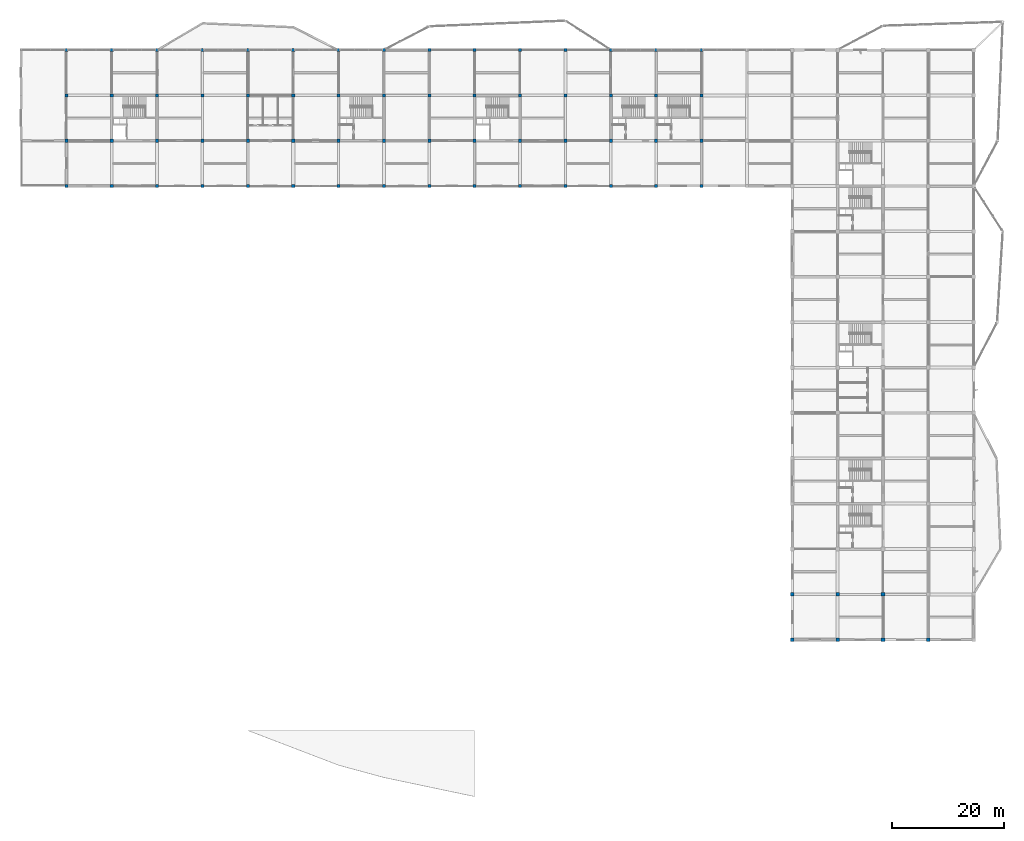
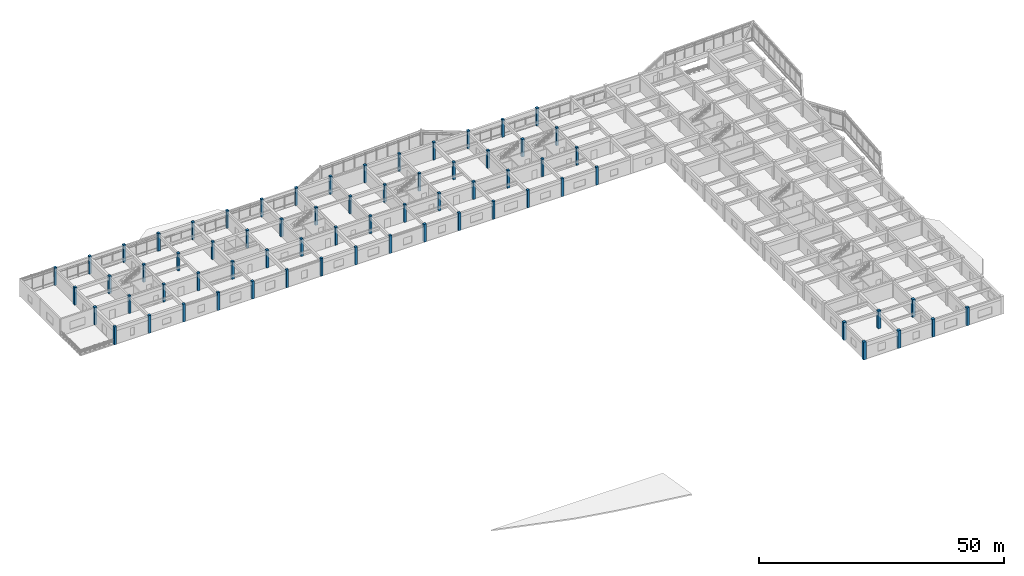
# One storey, part 1 of 42: 67 columns.
"""IFC4 building model written with IfcOpenShell, lengths in metres."""

from ifc_helpers import new_model, si_unit, direction, frame, origin, origin_2d, place, context, subcontext, project, spatial, rectangle, extrude, material, material_profile, profile_set, type_object, element, save


model = new_model("IFC4")

# Units and contexts
model_context = context("Model", 3, precision=1e-05, world=origin(), true_north=direction((0.0, 1.0)))
body_context = subcontext(model_context, "Body", "Model", "MODEL_VIEW")
ifc_project = project(units=[si_unit("LENGTHUNIT", "METRE"), si_unit("AREAUNIT", "SQUARE_METRE"), si_unit("VOLUMEUNIT", "CUBIC_METRE"), si_unit("PLANEANGLEUNIT", "RADIAN"), si_unit("MASSUNIT", "GRAM", prefix="KILO")], contexts=[model_context])

# Site, building, storey
site_placement = place(None, origin())
site = spatial("IfcSite", under=ifc_project, at=site_placement, CompositionType="ELEMENT")
building_placement = place(site_placement, origin())
building = spatial("IfcBuilding", under=site, at=building_placement, Name="Vaudrelin Polytechnic", CompositionType="ELEMENT")
storey_placement = place(building_placement, frame((0.0, 0.0, 18.530029296875)))
storey = spatial("IfcBuildingStorey", under=building, at=storey_placement, Name="L04", CompositionType="ELEMENT", Elevation=18.530029296875)

# Columns
ifc_material = material(Name="Concrete 40 MPa", Category="concrete")
ifc_material_profile_1 = material_profile(ifc_material, rectangle(XDim=0.550048828125, YDim=0.550048828125, at=origin_2d()), Name="RC550x550")
ifc_profile_set_1 = profile_set([ifc_material_profile_1], Name="Concrete 40 MPa")
column_type_1 = type_object("IfcColumnType", Name="COL-C-RC550", PredefinedType="COLUMN", material=ifc_profile_set_1)
for number, where, z_axis, x_axis, name in (
    (1, (8.10009765625, 97.199951171875, 0.0), (0.0, 0.0, 1.0), (1.0, 0.0, 0.0), "Column L04 2-13"),
    (2, (8.10009765625, 105.300048828125, 0.0), (0.0, 0.0, 1.0), (1.0, 0.0, 0.0), "Column L04 2-14"),
    (3, (8.10009765625, 113.39990234375, 0.0), (0.0, 0.0, 1.0), (1.0, 0.0, 0.0), "Column L04 2-15"),
    (4, (8.10009765625, 121.5, 0.0), (0.0, 0.0, 1.0), (1.0, 0.0, 0.0), "Column L04 2-16"),
    (5, (16.199951171875, 97.199951171875, 0.0), (0.0, 0.0, 1.0), (1.0, 0.0, 0.0), "Column L04 3-13"),
    (6, (16.199951171875, 105.300048828125, 0.0), (0.0, 0.0, 1.0), (1.0, 0.0, 0.0), "Column L04 3-14"),
    (7, (16.199951171875, 113.39990234375, 0.0), (0.0, 0.0, 1.0), (1.0, 0.0, 0.0), "Column L04 3-15"),
    (8, (16.199951171875, 121.5, 0.0), (0.0, 0.0, 1.0), (1.0, 0.0, 0.0), "Column L04 3-16"),
    (9, (24.300048828125, 97.199951171875, 0.0), (0.0, 0.0, 1.0), (1.0, 0.0, 0.0), "Column L04 4-13"),
    (10, (24.300048828125, 105.300048828125, 0.0), (0.0, 0.0, 1.0), (1.0, 0.0, 0.0), "Column L04 4-14"),
    (11, (24.300048828125, 113.39990234375, 0.0), (0.0, 0.0, 1.0), (1.0, 0.0, 0.0), "Column L04 4-15"),
    (12, (24.300048828125, 121.5, 0.0), (0.0, 0.0, 1.0), (1.0, 0.0, 0.0), "Column L04 4-16"),
    (13, (32.39990234375, 97.199951171875, 0.0), (0.0, 0.0, 1.0), (1.0, 0.0, 0.0), "Column L04 5-13"),
    (14, (32.39990234375, 105.300048828125, 0.0), (0.0, 0.0, 1.0), (1.0, 0.0, 0.0), "Column L04 5-14"),
    (15, (32.39990234375, 113.39990234375, 0.0), (0.0, 0.0, 1.0), (1.0, 0.0, 0.0), "Column L04 5-15"),
    (16, (32.39990234375, 121.5, 0.0), (0.0, 0.0, 1.0), (1.0, 0.0, 0.0), "Column L04 5-16"),
    (17, (40.5, 97.199951171875, 0.0), (0.0, 0.0, 1.0), (1.0, 0.0, 0.0), "Column L04 6-13"),
    (18, (40.5, 105.300048828125, 0.0), (0.0, 0.0, 1.0), (1.0, 0.0, 0.0), "Column L04 6-14"),
    (19, (40.5, 113.39990234375, 0.0), (0.0, 0.0, 1.0), (1.0, 0.0, 0.0), "Column L04 6-15"),
    (20, (40.5, 121.5, 0.0), (0.0, 0.0, 1.0), (1.0, 0.0, 0.0), "Column L04 6-16"),
    (21, (48.60009765625, 97.199951171875, 0.0), (0.0, 0.0, 1.0), (1.0, 0.0, 0.0), "Column L04 7-13"),
    (22, (48.60009765625, 105.300048828125, 0.0), (0.0, 0.0, 1.0), (1.0, 0.0, 0.0), "Column L04 7-14"),
    (23, (48.60009765625, 113.39990234375, 0.0), (0.0, 0.0, 1.0), (1.0, 0.0, 0.0), "Column L04 7-15"),
    (24, (48.60009765625, 121.5, 0.0), (0.0, 0.0, 1.0), (1.0, 0.0, 0.0), "Column L04 7-16"),
    (25, (56.699951171875, 97.199951171875, 0.0), (0.0, 0.0, 1.0), (1.0, 0.0, 0.0), "Column L04 8-13"),
    (26, (56.699951171875, 105.300048828125, 0.0), (0.0, 0.0, 1.0), (1.0, 0.0, 0.0), "Column L04 8-14"),
    (27, (56.699951171875, 113.39990234375, 0.0), (0.0, 0.0, 1.0), (1.0, 0.0, 0.0), "Column L04 8-15"),
    (28, (56.699951171875, 121.5, 0.0), (0.0, 0.0, 1.0), (1.0, 0.0, 0.0), "Column L04 8-16"),
    (29, (64.800048828125, 97.199951171875, 0.0), (0.0, 0.0, 1.0), (1.0, 0.0, 0.0), "Column L04 9-13"),
    (30, (64.800048828125, 105.300048828125, 0.0), (0.0, 0.0, 1.0), (1.0, 0.0, 0.0), "Column L04 9-14"),
    (31, (64.800048828125, 113.39990234375, 0.0), (0.0, 0.0, 1.0), (1.0, 0.0, 0.0), "Column L04 9-15"),
    (32, (64.800048828125, 121.5, 0.0), (0.0, 0.0, 1.0), (1.0, 0.0, 0.0), "Column L04 9-16"),
    (33, (72.89990234375, 97.199951171875, 0.0), (0.0, 0.0, 1.0), (1.0, 0.0, 0.0), "Column L04 10-13"),
    (34, (72.89990234375, 105.300048828125, 0.0), (0.0, 0.0, 1.0), (1.0, 0.0, 0.0), "Column L04 10-14"),
    (35, (72.89990234375, 113.39990234375, 0.0), (0.0, 0.0, 1.0), (1.0, 0.0, 0.0), "Column L04 10-15"),
    (36, (72.89990234375, 121.5, 0.0), (0.0, 0.0, 1.0), (1.0, 0.0, 0.0), "Column L04 10-16"),
    (37, (81.0, 97.199951171875, 0.0), (0.0, 0.0, 1.0), (1.0, 0.0, 0.0), "Column L04 11-13"),
    (38, (81.0, 105.300048828125, 0.0), (0.0, 0.0, 1.0), (1.0, 0.0, 0.0), "Column L04 11-14"),
    (39, (81.0, 113.39990234375, 0.0), (0.0, 0.0, 1.0), (1.0, 0.0, 0.0), "Column L04 11-15"),
    (40, (81.0, 121.5, 0.0), (0.0, 0.0, 1.0), (1.0, 0.0, 0.0), "Column L04 11-16"),
    (41, (89.10009765625, 97.199951171875, 0.0), (0.0, 0.0, 1.0), (1.0, 0.0, 0.0), "Column L04 12-13"),
    (42, (89.10009765625, 105.300048828125, 0.0), (0.0, 0.0, 1.0), (1.0, 0.0, 0.0), "Column L04 12-14"),
    (43, (89.10009765625, 113.39990234375, 0.0), (0.0, 0.0, 1.0), (1.0, 0.0, 0.0), "Column L04 12-15"),
    (44, (89.10009765625, 121.5, 0.0), (0.0, 0.0, 1.0), (1.0, 0.0, 0.0), "Column L04 12-16"),
    (45, (97.199951171875, 97.199951171875, 0.0), (0.0, 0.0, 1.0), (1.0, 0.0, 0.0), "Column L04 13-13"),
    (46, (97.199951171875, 105.300048828125, 0.0), (0.0, 0.0, 1.0), (1.0, 0.0, 0.0), "Column L04 13-14"),
    (47, (97.199951171875, 113.39990234375, 0.0), (0.0, 0.0, 1.0), (1.0, 0.0, 0.0), "Column L04 13-15"),
    (48, (97.199951171875, 121.5, 0.0), (0.0, 0.0, 1.0), (1.0, 0.0, 0.0), "Column L04 13-16"),
    (49, (105.300048828125, 97.199951171875, 0.0), (0.0, 0.0, 1.0), (1.0, 0.0, 0.0), "Column L04 14-13"),
    (50, (105.300048828125, 105.300048828125, 0.0), (0.0, 0.0, 1.0), (1.0, 0.0, 0.0), "Column L04 14-14"),
    (51, (105.300048828125, 113.39990234375, 0.0), (0.0, 0.0, 1.0), (1.0, 0.0, 0.0), "Column L04 14-15"),
    (52, (105.300048828125, 121.5, 0.0), (0.0, 0.0, 1.0), (1.0, 0.0, 0.0), "Column L04 14-16"),
    (53, (113.39990234375, 97.199951171875, 0.0), (0.0, 0.0, 1.0), (1.0, 0.0, 0.0), "Column L04 15-13"),
    (54, (113.39990234375, 105.300048828125, 0.0), (0.0, 0.0, 1.0), (1.0, 0.0, 0.0), "Column L04 15-14"),
    (55, (113.39990234375, 113.39990234375, 0.0), (0.0, 0.0, 1.0), (1.0, 0.0, 0.0), "Column L04 15-15"),
    (56, (113.39990234375, 121.5, 0.0), (0.0, 0.0, 1.0), (1.0, 0.0, 0.0), "Column L04 15-16"),
    (57, (121.5, 97.199951171875, 0.0), (0.0, 0.0, 1.0), (1.0, 0.0, 0.0), "Column L04 16-13"),
    (58, (121.5, 105.300048828125, 0.0), (0.0, 0.0, 1.0), (1.0, 0.0, 0.0), "Column L04 16-14"),
    (59, (121.5, 113.39990234375, 0.0), (0.0, 0.0, 1.0), (1.0, 0.0, 0.0), "Column L04 16-15"),
    (60, (121.5, 121.5, 0.0), (0.0, 0.0, 1.0), (1.0, 0.0, 0.0), "Column L04 16-16"),
):
    element("IfcColumn", number, at=place(storey_placement, frame(where, z_axis=z_axis, x_axis=x_axis)), inside=storey, type_object=column_type_1, Name=name, PredefinedType="COLUMN", context=body_context, shape_type="SweptSolid", body=[
        extrude(rectangle(XDim=0.550048828125, YDim=0.550048828125, at=origin_2d()), origin(), (0.0, 0.0, 1.0), 4.419921875),
    ])
ifc_material_profile_2 = material_profile(ifc_material, rectangle(XDim=0.64990234375, YDim=0.64990234375, at=origin_2d()), Name="RC650x650")
ifc_profile_set_2 = profile_set([ifc_material_profile_2], Name="Concrete 40 MPa")
column_type_2 = type_object("IfcColumnType", Name="COL-C-RC650", PredefinedType="COLUMN", material=ifc_profile_set_2)
for number, where, z_axis, x_axis, name in (
    (61, (137.699951171875, 16.199951171875, 0.0), (0.0, 0.0, 1.0), (1.0, 0.0, 0.0), "Column L04 18-3"),
    (62, (137.699951171875, 24.300048828125, 0.0), (0.0, 0.0, 1.0), (1.0, 0.0, 0.0), "Column L04 18-4"),
    (63, (145.800048828125, 16.199951171875, 0.0), (0.0, 0.0, 1.0), (1.0, 0.0, 0.0), "Column L04 19-3"),
    (64, (145.800048828125, 24.300048828125, 0.0), (0.0, 0.0, 1.0), (1.0, 0.0, 0.0), "Column L04 19-4"),
    (65, (153.89990234375, 16.199951171875, 0.0), (0.0, 0.0, 1.0), (1.0, 0.0, 0.0), "Column L04 20-3"),
    (66, (153.89990234375, 24.300048828125, 0.0), (0.0, 0.0, 1.0), (1.0, 0.0, 0.0), "Column L04 20-4"),
    (67, (162.0, 16.199951171875, 0.0), (0.0, 0.0, 1.0), (1.0, 0.0, 0.0), "Column L04 21-3"),
):
    element("IfcColumn", number, at=place(storey_placement, frame(where, z_axis=z_axis, x_axis=x_axis)), inside=storey, type_object=column_type_2, Name=name, PredefinedType="COLUMN", context=body_context, shape_type="SweptSolid", body=[
        extrude(rectangle(XDim=0.64990234375, YDim=0.64990234375, at=origin_2d()), origin(), (0.0, 0.0, 1.0), 4.419921875),
    ])

save(model, "model.ifc")
